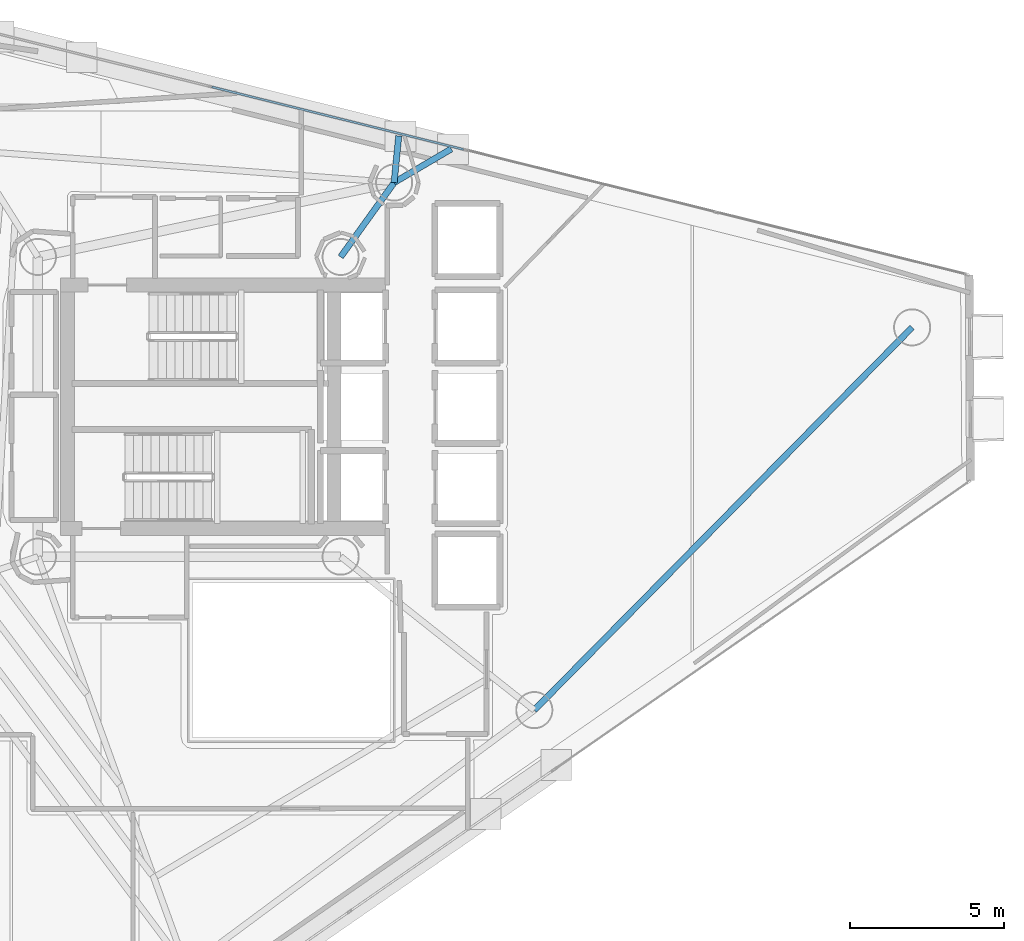
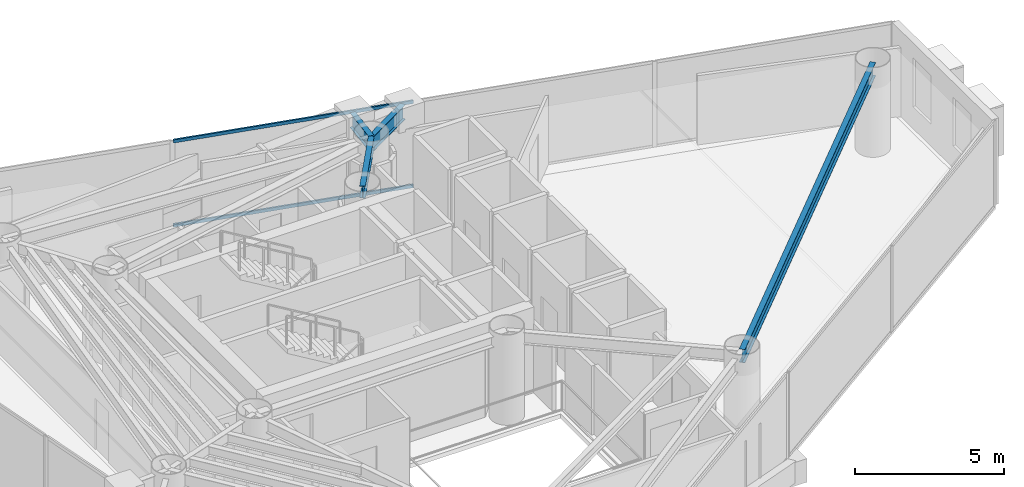
# One storey, part 14 of 23: 4 beams, 2 members, 1 element without a shape of its own.
"""IFC4 building model written with IfcOpenShell, lengths in metres."""

from ifc_helpers import new_model, si_unit, direction, frame, origin, origin_2d, place, context, subcontext, project, spatial, hollow_rectangle, i_section, extrude, material, layer, layer_set, material_profile, profile_set, type_object, element, aggregate, save


model = new_model("IFC4")

# Units and contexts
model_context = context("Model", 3, precision=1e-05, world=origin(), true_north=direction((0.0, 1.0)))
body_context = subcontext(model_context, "Body", "Model", "MODEL_VIEW")
ifc_project = project(units=[si_unit("LENGTHUNIT", "METRE"), si_unit("AREAUNIT", "SQUARE_METRE"), si_unit("VOLUMEUNIT", "CUBIC_METRE"), si_unit("PLANEANGLEUNIT", "RADIAN"), si_unit("MASSUNIT", "GRAM", prefix="KILO")], contexts=[model_context])

# Site, building, storey
site_placement = place(None, origin())
site = spatial("IfcSite", under=ifc_project, at=site_placement, CompositionType="ELEMENT")
building_placement = place(site_placement, origin())
building = spatial("IfcBuilding", under=site, at=building_placement, Name="Qianvela Tower", CompositionType="ELEMENT")
storey_placement = place(building_placement, frame((0.0, 0.0, 192.89990234375)))
storey = spatial("IfcBuildingStorey", under=building, at=storey_placement, Name="L49", CompositionType="ELEMENT", Elevation=192.89990234375)

# Beams
ifc_material_1 = material(Name="Steel Q355B", Category="steel")
ifc_material_profile_1 = material_profile(ifc_material_1, i_section(OverallWidth=0.199951171875, OverallDepth=0.5, WebThickness=0.010009765625, FlangeThickness=0.01611328125, at=origin_2d()), Name="HN500x200x10x16")
ifc_profile_set_1 = profile_set([ifc_material_profile_1], Name="Steel Q355B")
beam_type_1 = type_object("IfcBeamType", Name="BM-HN500-GIRD", PredefinedType="BEAM", material=ifc_profile_set_1)
beam_1_placement = place(storey_placement, frame((38.39990234375, 33.550048828125, 3.26806640625), z_axis=(0.583742907536, 0.811938555496, 0.0), x_axis=(-0.811938555496, 0.583742907536, 0.0)))
element("IfcBeam", 1, at=beam_1_placement, inside=storey, type_object=beam_type_1, Name="L49 Radial Primary Floor Girder 2", PredefinedType="BEAM", context=body_context, shape_type="SweptSolid", body=[
    extrude(i_section(OverallWidth=0.199951171875, OverallDepth=0.5, WebThickness=0.010009765625, FlangeThickness=0.01611328125, at=origin_2d()), origin(), (0.0, 0.0, 1.0), 2.965576171875),
])
ifc_material_2 = material(Name="Steel Q355B", Category="steel")
ifc_material_profile_2 = material_profile(ifc_material_2, i_section(OverallWidth=0.199951171875, OverallDepth=0.550048828125, WebThickness=0.010009765625, FlangeThickness=0.01611328125, at=origin_2d()), Name="HN550x200x10x16")
ifc_profile_set_2 = profile_set([ifc_material_profile_2], Name="Steel Q355B")
beam_type_2 = type_object("IfcBeamType", Name="BM-HN550-GIRD", PredefinedType="BEAM", material=ifc_profile_set_2)
beam_2_placement = place(storey_placement, frame((44.6669921875, 18.883056640625, 3.2431640625), z_axis=(0.702583270685, 0.711601537205, 0.0), x_axis=(-0.711601537205, 0.702583270685, 0.0)))
element("IfcBeam", 2, at=beam_2_placement, inside=storey, type_object=beam_type_2, Name="L49 Perimeter Ring Spandrel Girder 6", PredefinedType="BEAM", context=body_context, shape_type="SweptSolid", body=[
    extrude(i_section(OverallWidth=0.199951171875, OverallDepth=0.550048828125, WebThickness=0.010009765625, FlangeThickness=0.01611328125, at=origin_2d()), origin(), (0.0, 0.0, 1.0), 17.4072265625),
])
ifc_material_3 = material(Name="Steel Q355B", Category="steel")
ifc_material_profile_3 = material_profile(ifc_material_3, i_section(OverallWidth=0.199951171875, OverallDepth=0.60009765625, WebThickness=0.010986328125, FlangeThickness=0.01708984375, at=origin_2d()), Name="HN600x200x11x17")
ifc_profile_set_3 = profile_set([ifc_material_profile_3], Name="Steel Q355B")
beam_type_3 = type_object("IfcBeamType", Name="BM-HN600-GIRD", PredefinedType="BEAM", material=ifc_profile_set_3)
beam_3_placement = place(storey_placement, frame((40.131103515625, 35.9580078125, 3.218017578125), z_axis=(0.862048302698, 0.506826127794, 0.0), x_axis=(-0.506826127794, 0.862048302698, 0.0)))
element("IfcBeam", 3, at=beam_3_placement, inside=storey, type_object=beam_type_3, Name="L49 Mega-Brace Column Tie Bracket F1-1", PredefinedType="BEAM", context=body_context, shape_type="SweptSolid", body=[
    extrude(i_section(OverallWidth=0.199951171875, OverallDepth=0.60009765625, WebThickness=0.010986328125, FlangeThickness=0.01708984375, at=origin_2d()), origin(), (0.0, 0.0, 1.0), 2.14501953125),
])
beam_4_placement = place(storey_placement, frame((40.131103515625, 35.9580078125, 3.218017578125), z_axis=(0.097687068027, 0.99521718069, 0.0), x_axis=(-0.99521718069, 0.097687068027, 0.0)))
element("IfcBeam", 4, at=beam_4_placement, inside=storey, type_object=beam_type_3, Name="L49 Mega-Brace Column Tie Bracket F1-2", PredefinedType="BEAM", context=body_context, shape_type="SweptSolid", body=[
    extrude(i_section(OverallWidth=0.199951171875, OverallDepth=0.60009765625, WebThickness=0.010986328125, FlangeThickness=0.01708984375, at=origin_2d()), origin(), (0.0, 0.0, 1.0), 1.51708984375),
])

# Curtain wall, members
ifc_material_4 = material(Name="Anodised Architectural Aluminium and Insulated Spandrel Panel", Category="aluminium")
ifc_layer = layer(ifc_material_4, 0.179931640625)
ifc_layer_set = layer_set([ifc_layer], Name="Anodised Architectural Aluminium and Insulated Spandrel Panel")
curtain_wall_type = type_object("IfcCurtainWallType", Name="CW-BRACEBAY", PredefinedType="USERDEFINED", material=ifc_layer_set)
curtain_wall_placement = place(storey_placement, origin())
curtain_wall = element("IfcCurtainWall", 5, at=curtain_wall_placement, inside=storey, type_object=curtain_wall_type, Name="L49 CW-BRACEBAY Curtain Wall 02B", ObjectType="CURTAIN_WALL_SYSTEM", PredefinedType="USERDEFINED")
ifc_material_5 = material(Name="Anodised Architectural Aluminium 6063-T6", Category="aluminium")
ifc_material_profile_4 = material_profile(ifc_material_5, hollow_rectangle(XDim=0.06494140625, YDim=0.1298828125, WallThickness=0.00439453125, at=origin_2d()), Name="ALU-TRAN-65x130")
ifc_profile_set_4 = profile_set([ifc_material_profile_4], Name="Anodised Architectural Aluminium 6063-T6")
member_type = type_object("IfcMemberType", Name="CW-BRACEBAY-TRAN", PredefinedType="USERDEFINED", material=ifc_profile_set_4)
member_1_placement = place(storey_placement, frame((42.37646484375, 37.029052734375, 0.03271484375), z_axis=(-0.970497188161, 0.241112438029, 0.0), x_axis=(-0.241112438029, -0.970497188161, 0.0)))
member_1 = element("IfcMember", 6, at=member_1_placement, type_object=member_type, Name="CW-9 transom 1.1", ObjectType="TRANSOM", PredefinedType="USERDEFINED", context=body_context, shape_type="SweptSolid", body=[
    extrude(hollow_rectangle(XDim=0.06494140625, YDim=0.1298828125, WallThickness=0.00439453125, at=origin_2d()), origin(), (0.0, 0.0, 1.0), 8.397216796875),
])
member_2_placement = place(storey_placement, frame((42.37646484375, 37.029052734375, 3.487548828125), z_axis=(-0.970497188161, 0.241112438029, 0.0), x_axis=(-0.241112438029, -0.970497188161, 0.0)))
member_2 = element("IfcMember", 7, at=member_2_placement, type_object=member_type, Name="CW-9 transom 1.2", ObjectType="TRANSOM", PredefinedType="USERDEFINED", context=body_context, shape_type="SweptSolid", body=[
    extrude(hollow_rectangle(XDim=0.06494140625, YDim=0.1298828125, WallThickness=0.00439453125, at=origin_2d()), origin(), (0.0, 0.0, 1.0), 8.397216796875),
])
aggregate(curtain_wall, [member_1, member_2])

save(model, "model.ifc")
